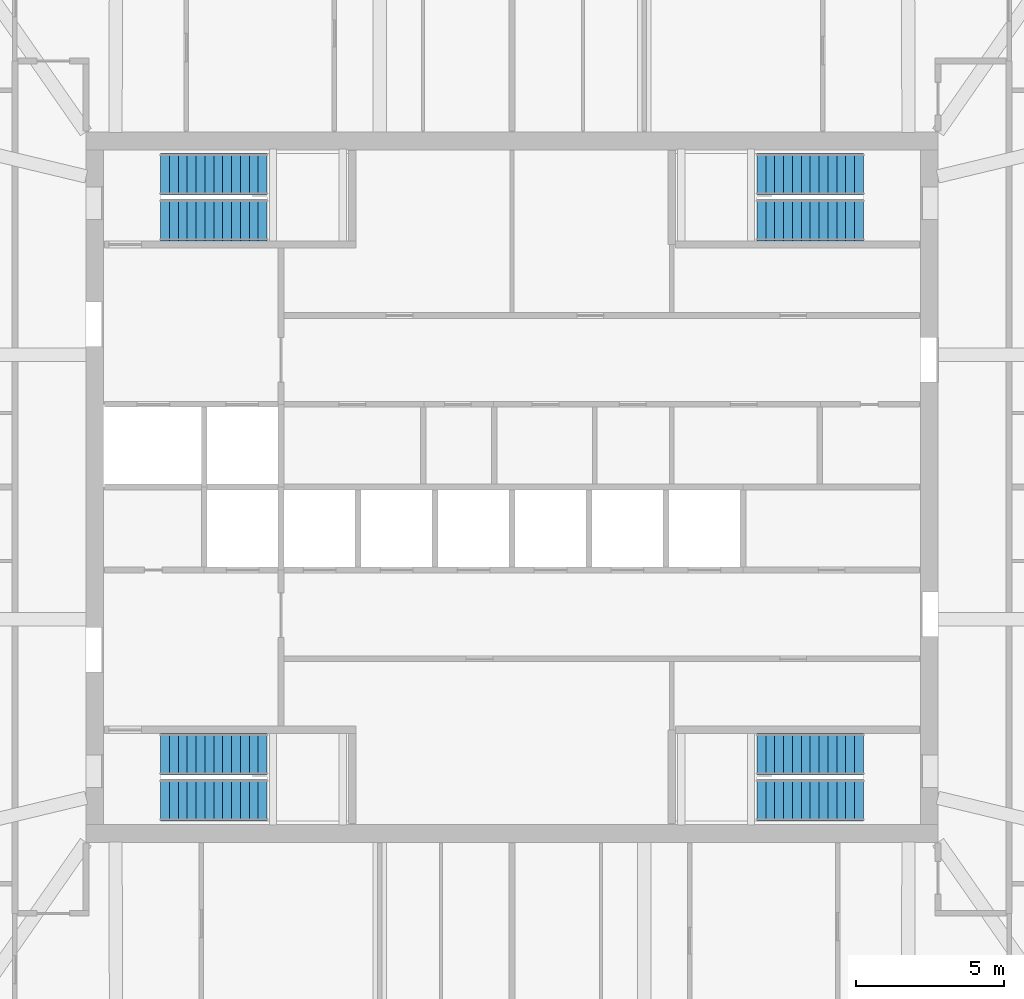
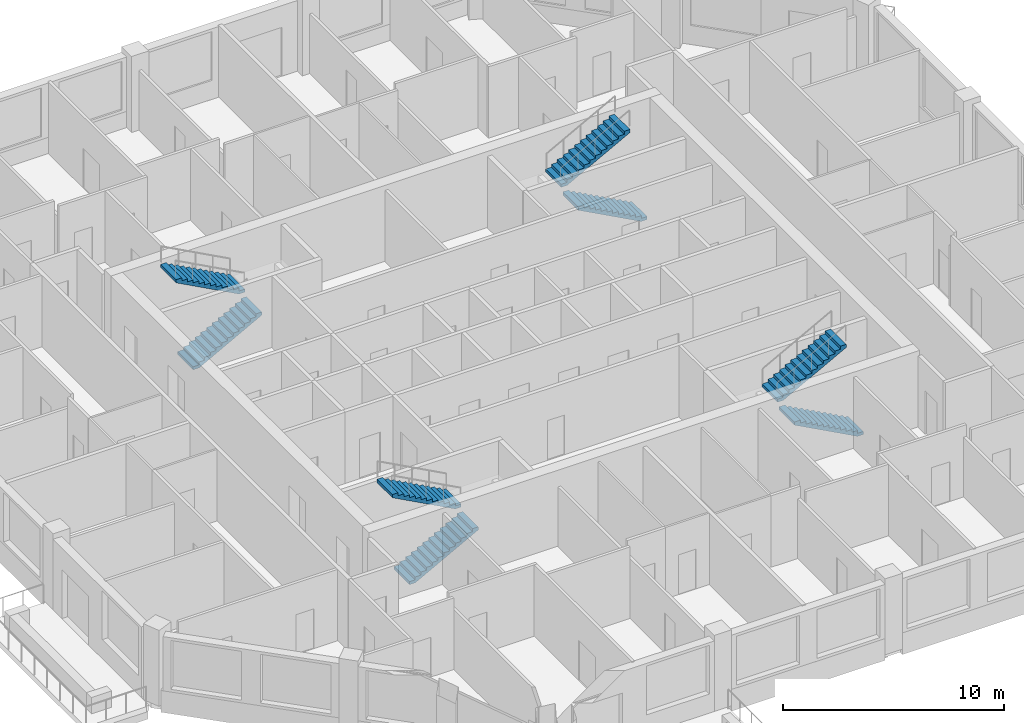
# One storey, part 10 of 11: 8 stair flights, 4 elements without a shape of their own.
"""IFC4 building model written with IfcOpenShell, lengths in metres."""

from ifc_helpers import new_model, si_unit, direction, frame, origin, place, context, subcontext, project, spatial, polyline, outline, extrude, material, type_object, element, aggregate, save


model = new_model("IFC4")

# Units and contexts
model_context = context("Model", 3, precision=1e-05, world=origin(), true_north=direction((0.0, 1.0)))
body_context = subcontext(model_context, "Body", "Model", "MODEL_VIEW")
ifc_project = project(units=[si_unit("LENGTHUNIT", "METRE"), si_unit("AREAUNIT", "SQUARE_METRE"), si_unit("VOLUMEUNIT", "CUBIC_METRE"), si_unit("PLANEANGLEUNIT", "RADIAN"), si_unit("MASSUNIT", "GRAM", prefix="KILO")], contexts=[model_context])

# Site, building, storey
site_placement = place(None, origin())
site = spatial("IfcSite", under=ifc_project, at=site_placement, CompositionType="ELEMENT")
building_placement = place(site_placement, origin())
building = spatial("IfcBuilding", under=site, at=building_placement, Name="Msitu Wima Residences", CompositionType="ELEMENT")
storey_placement = place(building_placement, frame((0.0, 0.0, 230.699951171875)))
storey = spatial("IfcBuildingStorey", under=building, at=storey_placement, Name="L53", CompositionType="ELEMENT", Elevation=230.699951171875)

# Stair, stair flights
ifc_material = material(Name="Concrete C40/50", Category="concrete")
stair_type = type_object("IfcStairType", Name="Exit stair ES1615-140", PredefinedType="HALF_TURN_STAIR", material=ifc_material)
stair_1_placement = place(storey_placement, origin())
stair_1 = element("IfcStair", 1, at=stair_1_placement, inside=storey, type_object=stair_type, Name="Exit stair 1", PredefinedType="HALF_TURN_STAIR")
stair_flight_type = type_object("IfcStairFlightType", Name="Exit stair flight ES1615-140", PredefinedType="STRAIGHT", material=ifc_material)
stair_flight_1_placement = place(storey_placement, frame((-11.875, 9.02490234375, 0.0), z_axis=(0.0, 0.0, 1.0), x_axis=(1.0, 0.0, 0.0)))
stair_flight_1 = element("IfcStairFlight", 2, at=stair_flight_1_placement, type_object=stair_flight_type, Name="S1 flight 1", NumberOfRisers=13, NumberOfTreads=12, PredefinedType="STRAIGHT", RiserHeight=0.161538462, TreadLength=0.3, context=body_context, shape_type="SweptSolid", body=[
    extrude(outline(polyline([(0.0, 0.0), (0.0, 0.16162109375), (0.300048828125, 0.16162109375), (0.300048828125, 0.322998046875), (0.60009765625, 0.322998046875), (0.60009765625, 0.484619140625), (0.89990234375, 0.484619140625), (0.89990234375, 0.646240234375), (1.199951171875, 0.646240234375), (1.199951171875, 0.8076171875), (1.5, 0.8076171875), (1.5, 0.96923828125), (1.800048828125, 0.96923828125), (1.800048828125, 1.130859375), (2.10009765625, 1.130859375), (2.10009765625, 1.292236328125), (2.39990234375, 1.292236328125), (2.39990234375, 1.453857421875), (2.699951171875, 1.453857421875), (2.699951171875, 1.615478515625), (3.0, 1.615478515625), (3.0, 1.77685546875), (3.300048828125, 1.77685546875), (3.300048828125, 1.9384765625), (3.60009765625, 1.9384765625), (3.60009765625, 2.10009765625), (3.60009765625, 1.768310546875), (0.316162109375, 0.0), (0.0, 0.0)])), frame((0.0, 0.699951171875, 0.0), z_axis=(0.0, -1.0, 0.0), x_axis=(1.0, 0.0, 0.0)), (0.0, 0.0, 1.0), 1.39990234375),
])
stair_flight_2_placement = place(storey_placement, frame((-8.27490234375, 10.574951171875, 2.10009765625), z_axis=(0.0, 0.0, 1.0), x_axis=(-1.0, 0.0, 0.0)))
stair_flight_2 = element("IfcStairFlight", 3, at=stair_flight_2_placement, type_object=stair_flight_type, Name="S1 flight 2", NumberOfRisers=13, NumberOfTreads=12, PredefinedType="STRAIGHT", RiserHeight=0.161538462, TreadLength=0.3, context=body_context, shape_type="SweptSolid", body=[
    extrude(outline(polyline([(0.0, 0.0), (0.0, 0.16162109375), (0.300048828125, 0.16162109375), (0.300048828125, 0.322998046875), (0.60009765625, 0.322998046875), (0.60009765625, 0.484619140625), (0.89990234375, 0.484619140625), (0.89990234375, 0.646240234375), (1.199951171875, 0.646240234375), (1.199951171875, 0.8076171875), (1.5, 0.8076171875), (1.5, 0.96923828125), (1.800048828125, 0.96923828125), (1.800048828125, 1.130859375), (2.10009765625, 1.130859375), (2.10009765625, 1.292236328125), (2.39990234375, 1.292236328125), (2.39990234375, 1.453857421875), (2.699951171875, 1.453857421875), (2.699951171875, 1.615478515625), (3.0, 1.615478515625), (3.0, 1.77685546875), (3.300048828125, 1.77685546875), (3.300048828125, 1.9384765625), (3.60009765625, 1.9384765625), (3.60009765625, 2.10009765625), (3.60009765625, 1.768310546875), (0.316162109375, 0.0), (0.0, 0.0)])), frame((0.0, 0.699951171875, 0.0), z_axis=(0.0, -1.0, 0.0), x_axis=(1.0, 0.0, 0.0)), (0.0, 0.0, 1.0), 1.39990234375),
])
aggregate(stair_1, [stair_flight_1, stair_flight_2])

stair_2_placement = place(storey_placement, origin())
stair_2 = element("IfcStair", 4, at=stair_2_placement, inside=storey, type_object=stair_type, Name="Exit stair 2", PredefinedType="HALF_TURN_STAIR")
stair_flight_3_placement = place(storey_placement, frame((-11.875, -10.574951171875, 0.0), z_axis=(0.0, 0.0, 1.0), x_axis=(1.0, 0.0, 0.0)))
stair_flight_3 = element("IfcStairFlight", 5, at=stair_flight_3_placement, type_object=stair_flight_type, Name="S2 flight 1", NumberOfRisers=13, NumberOfTreads=12, PredefinedType="STRAIGHT", RiserHeight=0.161538462, TreadLength=0.3, context=body_context, shape_type="SweptSolid", body=[
    extrude(outline(polyline([(0.0, 0.0), (0.0, 0.16162109375), (0.300048828125, 0.16162109375), (0.300048828125, 0.322998046875), (0.60009765625, 0.322998046875), (0.60009765625, 0.484619140625), (0.89990234375, 0.484619140625), (0.89990234375, 0.646240234375), (1.199951171875, 0.646240234375), (1.199951171875, 0.8076171875), (1.5, 0.8076171875), (1.5, 0.96923828125), (1.800048828125, 0.96923828125), (1.800048828125, 1.130859375), (2.10009765625, 1.130859375), (2.10009765625, 1.292236328125), (2.39990234375, 1.292236328125), (2.39990234375, 1.453857421875), (2.699951171875, 1.453857421875), (2.699951171875, 1.615478515625), (3.0, 1.615478515625), (3.0, 1.77685546875), (3.300048828125, 1.77685546875), (3.300048828125, 1.9384765625), (3.60009765625, 1.9384765625), (3.60009765625, 2.10009765625), (3.60009765625, 1.768310546875), (0.316162109375, 0.0), (0.0, 0.0)])), frame((0.0, 0.699951171875, 0.0), z_axis=(0.0, -1.0, 0.0), x_axis=(1.0, 0.0, 0.0)), (0.0, 0.0, 1.0), 1.39990234375),
])
stair_flight_4_placement = place(storey_placement, frame((-8.27490234375, -9.02490234375, 2.10009765625), z_axis=(0.0, 0.0, 1.0), x_axis=(-1.0, 0.0, 0.0)))
stair_flight_4 = element("IfcStairFlight", 6, at=stair_flight_4_placement, type_object=stair_flight_type, Name="S2 flight 2", NumberOfRisers=13, NumberOfTreads=12, PredefinedType="STRAIGHT", RiserHeight=0.161538462, TreadLength=0.3, context=body_context, shape_type="SweptSolid", body=[
    extrude(outline(polyline([(0.0, 0.0), (0.0, 0.16162109375), (0.300048828125, 0.16162109375), (0.300048828125, 0.322998046875), (0.60009765625, 0.322998046875), (0.60009765625, 0.484619140625), (0.89990234375, 0.484619140625), (0.89990234375, 0.646240234375), (1.199951171875, 0.646240234375), (1.199951171875, 0.8076171875), (1.5, 0.8076171875), (1.5, 0.96923828125), (1.800048828125, 0.96923828125), (1.800048828125, 1.130859375), (2.10009765625, 1.130859375), (2.10009765625, 1.292236328125), (2.39990234375, 1.292236328125), (2.39990234375, 1.453857421875), (2.699951171875, 1.453857421875), (2.699951171875, 1.615478515625), (3.0, 1.615478515625), (3.0, 1.77685546875), (3.300048828125, 1.77685546875), (3.300048828125, 1.9384765625), (3.60009765625, 1.9384765625), (3.60009765625, 2.10009765625), (3.60009765625, 1.768310546875), (0.316162109375, 0.0), (0.0, 0.0)])), frame((0.0, 0.699951171875, 0.0), z_axis=(0.0, -1.0, 0.0), x_axis=(1.0, 0.0, 0.0)), (0.0, 0.0, 1.0), 1.39990234375),
])
aggregate(stair_2, [stair_flight_3, stair_flight_4])

stair_3_placement = place(storey_placement, origin())
stair_3 = element("IfcStair", 7, at=stair_3_placement, inside=storey, type_object=stair_type, Name="Exit stair 3", PredefinedType="HALF_TURN_STAIR")
stair_flight_5_placement = place(storey_placement, frame((11.875, 9.02490234375, 0.0), z_axis=(0.0, 0.0, 1.0), x_axis=(-1.0, 0.0, 0.0)))
stair_flight_5 = element("IfcStairFlight", 8, at=stair_flight_5_placement, type_object=stair_flight_type, Name="S3 flight 1", NumberOfRisers=13, NumberOfTreads=12, PredefinedType="STRAIGHT", RiserHeight=0.161538462, TreadLength=0.3, context=body_context, shape_type="SweptSolid", body=[
    extrude(outline(polyline([(0.0, 0.0), (0.0, 0.16162109375), (0.300048828125, 0.16162109375), (0.300048828125, 0.322998046875), (0.60009765625, 0.322998046875), (0.60009765625, 0.484619140625), (0.89990234375, 0.484619140625), (0.89990234375, 0.646240234375), (1.199951171875, 0.646240234375), (1.199951171875, 0.8076171875), (1.5, 0.8076171875), (1.5, 0.96923828125), (1.800048828125, 0.96923828125), (1.800048828125, 1.130859375), (2.10009765625, 1.130859375), (2.10009765625, 1.292236328125), (2.39990234375, 1.292236328125), (2.39990234375, 1.453857421875), (2.699951171875, 1.453857421875), (2.699951171875, 1.615478515625), (3.0, 1.615478515625), (3.0, 1.77685546875), (3.300048828125, 1.77685546875), (3.300048828125, 1.9384765625), (3.60009765625, 1.9384765625), (3.60009765625, 2.10009765625), (3.60009765625, 1.768310546875), (0.316162109375, 0.0), (0.0, 0.0)])), frame((0.0, 0.699951171875, 0.0), z_axis=(0.0, -1.0, 0.0), x_axis=(1.0, 0.0, 0.0)), (0.0, 0.0, 1.0), 1.39990234375),
])
stair_flight_6_placement = place(storey_placement, frame((8.27490234375, 10.574951171875, 2.10009765625), z_axis=(0.0, 0.0, 1.0), x_axis=(1.0, 0.0, 0.0)))
stair_flight_6 = element("IfcStairFlight", 9, at=stair_flight_6_placement, type_object=stair_flight_type, Name="S3 flight 2", NumberOfRisers=13, NumberOfTreads=12, PredefinedType="STRAIGHT", RiserHeight=0.161538462, TreadLength=0.3, context=body_context, shape_type="SweptSolid", body=[
    extrude(outline(polyline([(0.0, 0.0), (0.0, 0.16162109375), (0.300048828125, 0.16162109375), (0.300048828125, 0.322998046875), (0.60009765625, 0.322998046875), (0.60009765625, 0.484619140625), (0.89990234375, 0.484619140625), (0.89990234375, 0.646240234375), (1.199951171875, 0.646240234375), (1.199951171875, 0.8076171875), (1.5, 0.8076171875), (1.5, 0.96923828125), (1.800048828125, 0.96923828125), (1.800048828125, 1.130859375), (2.10009765625, 1.130859375), (2.10009765625, 1.292236328125), (2.39990234375, 1.292236328125), (2.39990234375, 1.453857421875), (2.699951171875, 1.453857421875), (2.699951171875, 1.615478515625), (3.0, 1.615478515625), (3.0, 1.77685546875), (3.300048828125, 1.77685546875), (3.300048828125, 1.9384765625), (3.60009765625, 1.9384765625), (3.60009765625, 2.10009765625), (3.60009765625, 1.768310546875), (0.316162109375, 0.0), (0.0, 0.0)])), frame((0.0, 0.699951171875, 0.0), z_axis=(0.0, -1.0, 0.0), x_axis=(1.0, 0.0, 0.0)), (0.0, 0.0, 1.0), 1.39990234375),
])
aggregate(stair_3, [stair_flight_5, stair_flight_6])

stair_4_placement = place(storey_placement, origin())
stair_4 = element("IfcStair", 10, at=stair_4_placement, inside=storey, type_object=stair_type, Name="Exit stair 4", PredefinedType="HALF_TURN_STAIR")
stair_flight_7_placement = place(storey_placement, frame((11.875, -10.574951171875, 0.0), z_axis=(0.0, 0.0, 1.0), x_axis=(-1.0, 0.0, 0.0)))
stair_flight_7 = element("IfcStairFlight", 11, at=stair_flight_7_placement, type_object=stair_flight_type, Name="S4 flight 1", NumberOfRisers=13, NumberOfTreads=12, PredefinedType="STRAIGHT", RiserHeight=0.161538462, TreadLength=0.3, context=body_context, shape_type="SweptSolid", body=[
    extrude(outline(polyline([(0.0, 0.0), (0.0, 0.16162109375), (0.300048828125, 0.16162109375), (0.300048828125, 0.322998046875), (0.60009765625, 0.322998046875), (0.60009765625, 0.484619140625), (0.89990234375, 0.484619140625), (0.89990234375, 0.646240234375), (1.199951171875, 0.646240234375), (1.199951171875, 0.8076171875), (1.5, 0.8076171875), (1.5, 0.96923828125), (1.800048828125, 0.96923828125), (1.800048828125, 1.130859375), (2.10009765625, 1.130859375), (2.10009765625, 1.292236328125), (2.39990234375, 1.292236328125), (2.39990234375, 1.453857421875), (2.699951171875, 1.453857421875), (2.699951171875, 1.615478515625), (3.0, 1.615478515625), (3.0, 1.77685546875), (3.300048828125, 1.77685546875), (3.300048828125, 1.9384765625), (3.60009765625, 1.9384765625), (3.60009765625, 2.10009765625), (3.60009765625, 1.768310546875), (0.316162109375, 0.0), (0.0, 0.0)])), frame((0.0, 0.699951171875, 0.0), z_axis=(0.0, -1.0, 0.0), x_axis=(1.0, 0.0, 0.0)), (0.0, 0.0, 1.0), 1.39990234375),
])
stair_flight_8_placement = place(storey_placement, frame((8.27490234375, -9.02490234375, 2.10009765625), z_axis=(0.0, 0.0, 1.0), x_axis=(1.0, 0.0, 0.0)))
stair_flight_8 = element("IfcStairFlight", 12, at=stair_flight_8_placement, type_object=stair_flight_type, Name="S4 flight 2", NumberOfRisers=13, NumberOfTreads=12, PredefinedType="STRAIGHT", RiserHeight=0.161538462, TreadLength=0.3, context=body_context, shape_type="SweptSolid", body=[
    extrude(outline(polyline([(0.0, 0.0), (0.0, 0.16162109375), (0.300048828125, 0.16162109375), (0.300048828125, 0.322998046875), (0.60009765625, 0.322998046875), (0.60009765625, 0.484619140625), (0.89990234375, 0.484619140625), (0.89990234375, 0.646240234375), (1.199951171875, 0.646240234375), (1.199951171875, 0.8076171875), (1.5, 0.8076171875), (1.5, 0.96923828125), (1.800048828125, 0.96923828125), (1.800048828125, 1.130859375), (2.10009765625, 1.130859375), (2.10009765625, 1.292236328125), (2.39990234375, 1.292236328125), (2.39990234375, 1.453857421875), (2.699951171875, 1.453857421875), (2.699951171875, 1.615478515625), (3.0, 1.615478515625), (3.0, 1.77685546875), (3.300048828125, 1.77685546875), (3.300048828125, 1.9384765625), (3.60009765625, 1.9384765625), (3.60009765625, 2.10009765625), (3.60009765625, 1.768310546875), (0.316162109375, 0.0), (0.0, 0.0)])), frame((0.0, 0.699951171875, 0.0), z_axis=(0.0, -1.0, 0.0), x_axis=(1.0, 0.0, 0.0)), (0.0, 0.0, 1.0), 1.39990234375),
])
aggregate(stair_4, [stair_flight_7, stair_flight_8])

save(model, "model.ifc")
